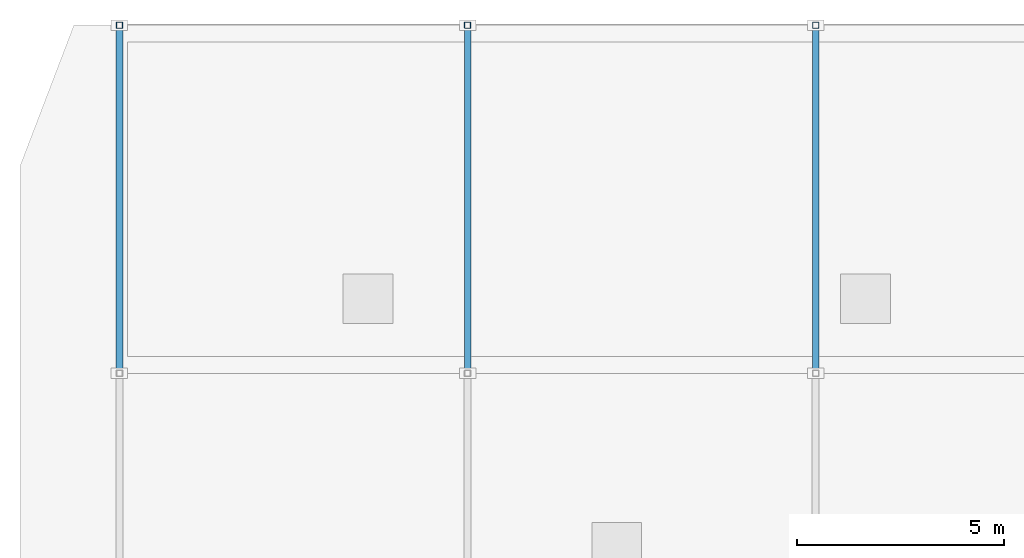
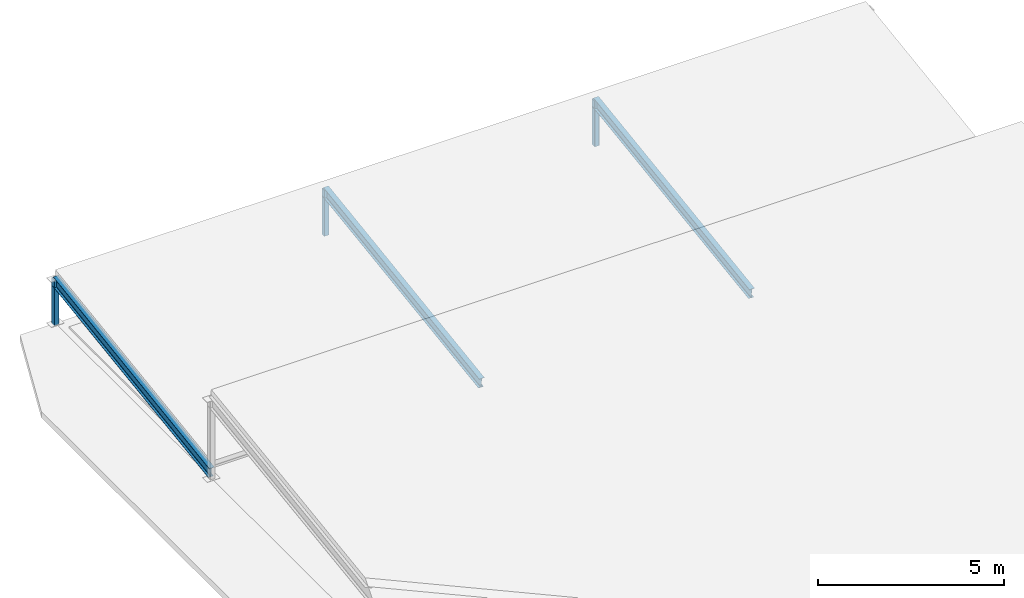
# One storey, part 7 of 12: 3 beams, 3 members.
"""IFC4 building model written with IfcOpenShell, lengths in metres."""

import ifcopenshell
import ifcopenshell.guid

model = None  # the IFC model being written
_history = None  # IfcOwnerHistory: only IFC2X3 demands one
_inside = {}  # id of a spatial element -> (the spatial element, [elements in it])
_under = {}  # id of a project, library or spatial element -> (it, [spatial elements below it])
_declared = {}  # id of a project -> (the project, [libraries it declares])
_typed = {}  # id of a type object -> (the type object, [elements of that type])
_made_of = {}  # id of a material, layer set ... -> (it, [elements and type objects made of it])


def new_model(schema):
    """Start an empty IFC model of exactly this schema.

    Asked for "IFC4X3", IfcOpenShell would pick the latest addendum, in which some entities
    have other attributes; the version numbers below select the first issue.
    IFC2X3 requires an IfcOwnerHistory on every rooted entity: one is made here for all.
    """
    global model, _history
    if schema == "IFC4X3":
        model = ifcopenshell.file(schema_version=(4, 3, 0, 0))
    else:
        model = ifcopenshell.file(schema=schema)
    _inside.clear()
    _under.clear()
    _declared.clear()
    _typed.clear()
    _made_of.clear()
    _history = None
    if model.schema == "IFC2X3":
        org = make("IfcOrganization", Name="unknown")
        user = make(
            "IfcPersonAndOrganization",
            ThePerson=make("IfcPerson", FamilyName="unknown"),
            TheOrganization=org,
        )
        app = make(
            "IfcApplication",
            ApplicationDeveloper=org,
            Version="unknown",
            ApplicationFullName="unknown",
            ApplicationIdentifier="unknown",
        )
        _history = make(
            "IfcOwnerHistory",
            OwningUser=user,
            OwningApplication=app,
            ChangeAction="ADDED",
            CreationDate=0,
        )
    return model


def make(cls, **values):
    """One entity of the class cls with the attributes given. An attribute that is None is left unset."""
    return model.create_entity(
        cls, **{name: value for name, value in values.items() if value is not None}
    )


def rooted(cls, **values):
    """An entity with a GlobalId (a new one), such as an element, a storey or a relation."""
    return make(cls, GlobalId=ifcopenshell.guid.new(), OwnerHistory=_history, **values)


def si_unit(unit_type, name, prefix=None):
    """IfcSIUnit, for example si_unit("LENGTHUNIT", "METRE", prefix="MILLI")."""
    return make("IfcSIUnit", UnitType=unit_type, Prefix=prefix, Name=name)


def assignment(units):
    """IfcUnitAssignment: the units of a project."""
    return None if units is None else make("IfcUnitAssignment", Units=units)


def point(xyz):
    """IfcCartesianPoint."""
    return None if xyz is None else make("IfcCartesianPoint", Coordinates=xyz)


def direction(xyz):
    """IfcDirection."""
    return None if xyz is None else make("IfcDirection", DirectionRatios=xyz)


def frame(location, z_axis=None, x_axis=None):
    """IfcAxis2Placement3D, a coordinate frame: its origin and axes. An axis left out is left unset."""
    return make(
        "IfcAxis2Placement3D",
        Location=point(location),
        Axis=direction(z_axis),
        RefDirection=direction(x_axis),
    )


def frame_2d(location, x_axis=None):
    """IfcAxis2Placement2D, a coordinate frame in the plane: its origin and x axis."""
    return make(
        "IfcAxis2Placement2D", Location=point(location), RefDirection=direction(x_axis)
    )


def origin():
    """The frame at (0, 0, 0) with its axes left unset."""
    return frame((0.0, 0.0, 0.0))


def origin_2d():
    """The frame at (0, 0) in the plane with its x axis left unset."""
    return frame_2d((0.0, 0.0))


def place(relative_to, where):
    """IfcLocalPlacement: puts the frame where relative to a parent placement (None: the world)."""
    return make(
        "IfcLocalPlacement", PlacementRelTo=relative_to, RelativePlacement=where
    )


def context(
    kind, dimensions, precision=None, world=None, true_north=None, identifier=None
):
    """IfcGeometricRepresentationContext, for example the 3D "Model" context."""
    return make(
        "IfcGeometricRepresentationContext",
        ContextIdentifier=identifier,
        ContextType=kind,
        CoordinateSpaceDimension=dimensions,
        Precision=precision,
        WorldCoordinateSystem=world,
        TrueNorth=true_north,
    )


def subcontext(parent, identifier, kind, view, scale=None):
    """IfcGeometricRepresentationSubContext, for example "Body" below "Model"."""
    return make(
        "IfcGeometricRepresentationSubContext",
        ContextIdentifier=identifier,
        ContextType=kind,
        ParentContext=parent,
        TargetScale=scale,
        TargetView=view,
    )


def project(units=None, contexts=None):
    """IfcProject with its units and contexts."""
    return rooted(
        "IfcProject",
        Name="project",
        RepresentationContexts=contexts,
        UnitsInContext=assignment(units),
    )


def spatial(cls, under=None, at=None, **own):
    """A site, building, storey or space (cls), placed at a placement, below another one or the project."""
    s = rooted(cls, ObjectPlacement=at, **own)
    if under is not None:
        _under.setdefault(under.id(), (under, []))[1].append(s)
    return s


def profile(cls, at=None, kind="AREA", **sizes):
    """A parametric profile (cls). Its sizes go by their IFC names, for example OverallWidth=200.0."""
    return make(cls, ProfileType=kind, Position=at, **sizes)


def hollow_rectangle(**sizes):
    """IfcRectangleHollowProfileDef."""
    return profile("IfcRectangleHollowProfileDef", **sizes)


def i_section(**sizes):
    """IfcIShapeProfileDef."""
    return profile("IfcIShapeProfileDef", **sizes)


def extrude(swept, where, along, depth):
    """IfcExtrudedAreaSolid: the profile swept, set in the frame where, extruded along a direction by depth."""
    return make(
        "IfcExtrudedAreaSolid",
        SweptArea=swept,
        Position=where,
        ExtrudedDirection=direction(along),
        Depth=depth,
    )


def shape(context_of_items, identifier, shape_type, items):
    """IfcShapeRepresentation: the items that make up one representation, for example the "Body"."""
    return make(
        "IfcShapeRepresentation",
        ContextOfItems=context_of_items,
        RepresentationIdentifier=identifier,
        RepresentationType=shape_type,
        Items=items,
    )


def material(Name=None, Category=None):
    """IfcMaterial."""
    return make("IfcMaterial", Name=Name, Category=Category)


def material_profile(
    of_material, cross_section, Name=None, Category=None, Priority=None
):
    """IfcMaterialProfile: a cross section and its material."""
    return make(
        "IfcMaterialProfile",
        Name=Name,
        Material=of_material,
        Profile=cross_section,
        Priority=Priority,
        Category=Category,
    )


def profile_set(profiles, Name=None, composite=None):
    """IfcMaterialProfileSet."""
    return make(
        "IfcMaterialProfileSet",
        Name=Name,
        MaterialProfiles=profiles,
        CompositeProfile=composite,
    )


def made_of(thing, what):
    """Note that an element or type object is made of a material, layer set ...; save() writes the relation."""
    if what is not None:
        _made_of.setdefault(what.id(), (what, []))[1].append(thing)
    return thing


def type_object(cls, material=None, **own):
    """A type object (cls), such as IfcWallType, which elements share."""
    return made_of(rooted(cls, **own), material)


def element(
    cls,
    number,
    at=None,
    inside=None,
    cuts=None,
    type_object=None,
    material=None,
    context=None,
    identifier="Body",
    shape_type=None,
    held_by="IfcProductDefinitionShape",
    body=None,
    shapes=None,
    **own,
):
    """One element of the class cls, such as IfcWall. Its Tag is "e" and its number.

    at: its placement. inside: the storey or other place that contains it. cuts: it is an
    opening in that element (IfcRelVoidsElement). A single representation is given by context,
    identifier, shape_type and body (its items); several are given by shapes. held_by: the class
    of the entity that holds the representations. save() writes the other relations.
    """
    e = rooted(cls, Tag="e%d" % number, ObjectPlacement=at, **own)
    if body is not None:
        shapes = [shape(context, identifier, shape_type, body)]
    if shapes is not None:
        e.Representation = make(held_by, Representations=shapes)
    if inside is not None:
        _inside.setdefault(inside.id(), (inside, []))[1].append(e)
    if cuts is not None:
        rooted(
            "IfcRelVoidsElement", RelatingBuildingElement=cuts, RelatedOpeningElement=e
        )
    if type_object is not None:
        _typed.setdefault(type_object.id(), (type_object, []))[1].append(e)
    return made_of(e, material)


def aggregate(whole, parts):
    """IfcRelAggregates: a whole, such as a stair, and the parts it consists of."""
    return rooted("IfcRelAggregates", RelatingObject=whole, RelatedObjects=parts)


def save(model, path):
    """Write the relations noted so far, then the file.

    IfcRelAggregates (storeys below a building ...), IfcRelContainedInSpatialStructure (elements
    in a storey), IfcRelDefinesByType, IfcRelAssociatesMaterial and IfcRelDeclares: one each for
    every whole, place, type object, material and project.
    """
    for whole, parts in _under.values():
        aggregate(whole, parts)
    for where, things in _inside.values():
        rooted(
            "IfcRelContainedInSpatialStructure",
            RelatedElements=things,
            RelatingStructure=where,
        )
    for kind, things in _typed.values():
        rooted("IfcRelDefinesByType", RelatedObjects=things, RelatingType=kind)
    for what, things in _made_of.values():
        rooted("IfcRelAssociatesMaterial", RelatedObjects=things, RelatingMaterial=what)
    for by, libraries in _declared.values():
        rooted("IfcRelDeclares", RelatingContext=by, RelatedDefinitions=libraries)
    model.write(path)


model = new_model("IFC4")

# Units and contexts
model_context = context("Model", 3, precision=1e-05, world=origin(), true_north=direction((0.0, 1.0)))
body_context = subcontext(model_context, "Body", "Model", "MODEL_VIEW")
ifc_project = project(units=[si_unit("LENGTHUNIT", "METRE"), si_unit("AREAUNIT", "SQUARE_METRE"), si_unit("VOLUMEUNIT", "CUBIC_METRE"), si_unit("PLANEANGLEUNIT", "RADIAN"), si_unit("MASSUNIT", "GRAM", prefix="KILO")], contexts=[model_context])

# Site, building, storey
site_placement = place(None, origin())
site = spatial("IfcSite", under=ifc_project, at=site_placement, CompositionType="ELEMENT")
building_placement = place(site_placement, origin())
building = spatial("IfcBuilding", under=site, at=building_placement, Name="Varnapada Polytechnic", CompositionType="ELEMENT")
storey_placement = place(building_placement, frame((0.0, 0.0, 30.60009765625)))
storey = spatial("IfcBuildingStorey", under=building, at=storey_placement, Name="Roof", CompositionType="ELEMENT", Elevation=30.60009765625)

# Beams
ifc_material = material(Name="Steel S355", Category="steel")
ifc_material_profile_1 = material_profile(ifc_material, i_section(OverallWidth=0.159912109375, OverallDepth=0.330078125, WebThickness=0.007568359375, FlangeThickness=0.011474609375, FilletRadius=0.01806640625, at=origin_2d()), Name="IPE 330")
ifc_profile_set_1 = profile_set([ifc_material_profile_1], Name="Steel S355")
beam_type = type_object("IfcBeamType", Name="Clerestory monitor steel rafter SB-07 (IPE 330)", PredefinedType="BEAM", material=ifc_profile_set_1)
for number, where, z_axis, x_axis, name in (
    (1, (0.0, 109.199951171875, 0.18994140625), (0.0, 0.989784856566, 0.142569062956), (-1.0, 0.0, 0.0), "Studio sawtooth rafter 4.1"),
    (2, (8.39990234375, 109.199951171875, 0.18994140625), (0.0, 0.989784856566, 0.142569062956), (-1.0, 0.0, 0.0), "Studio sawtooth rafter 4.2"),
    (3, (16.800048828125, 109.199951171875, 0.18994140625), (0.0, 0.989784856566, 0.142569062956), (-1.0, 0.0, 0.0), "Studio sawtooth rafter 4.3"),
):
    element("IfcBeam", number, at=place(storey_placement, frame(where, z_axis=z_axis, x_axis=x_axis)), inside=storey, type_object=beam_type, Name=name, PredefinedType="BEAM", context=body_context, shape_type="SweptSolid", body=[
        extrude(i_section(OverallWidth=0.159912109375, OverallDepth=0.330078125, WebThickness=0.007568359375, FlangeThickness=0.011474609375, FilletRadius=0.01806640625, at=origin_2d()), origin(), (0.0, 0.0, 1.0), 8.48681640625),
    ])

# Members
ifc_material_profile_2 = material_profile(ifc_material, hollow_rectangle(XDim=0.14990234375, YDim=0.14990234375, WallThickness=0.00634765625, InnerFilletRadius=0.006103515625, OuterFilletRadius=0.011962890625, at=origin_2d()), Name="SHS 150x150x6.3")
ifc_profile_set_2 = profile_set([ifc_material_profile_2], Name="Steel S355")
member_type = type_object("IfcMemberType", Name="Sawtooth north-light mullion post SFP-02 (SHS 150x150x6.3)", PredefinedType="POST", material=ifc_profile_set_2)
for number, where, z_axis, x_axis, name in (
    (4, (0.0, 117.60009765625, -0.02001953125), (0.0, 0.0, 1.0), (1.0, 0.0, 0.0), "Studio sawtooth north-light post 4.1"),
    (5, (8.39990234375, 117.60009765625, -0.02001953125), (0.0, 0.0, 1.0), (1.0, 0.0, 0.0), "Studio sawtooth north-light post 4.2"),
    (6, (16.800048828125, 117.60009765625, -0.02001953125), (0.0, 0.0, 1.0), (1.0, 0.0, 0.0), "Studio sawtooth north-light post 4.3"),
):
    element("IfcMember", number, at=place(storey_placement, frame(where, z_axis=z_axis, x_axis=x_axis)), inside=storey, type_object=member_type, Name=name, PredefinedType="POST", context=body_context, shape_type="SweptSolid", body=[
        extrude(hollow_rectangle(XDim=0.14990234375, YDim=0.14990234375, WallThickness=0.00634765625, InnerFilletRadius=0.006103515625, OuterFilletRadius=0.011962890625, at=origin_2d()), origin(), (0.0, 0.0, 1.0), 1.5),
    ])

save(model, "model.ifc")
